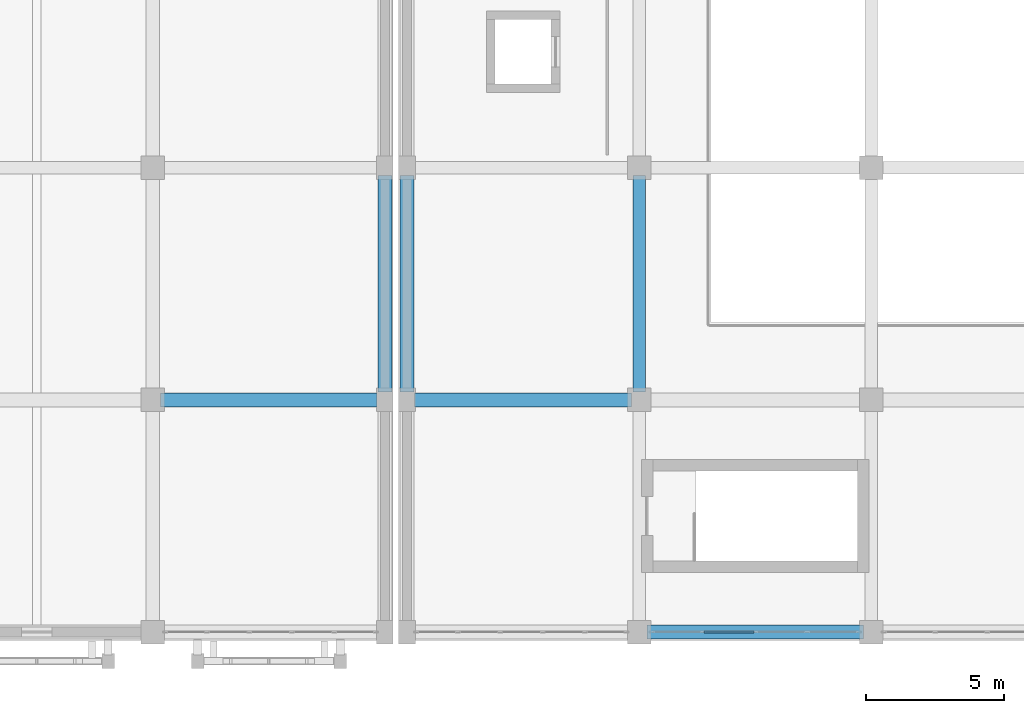
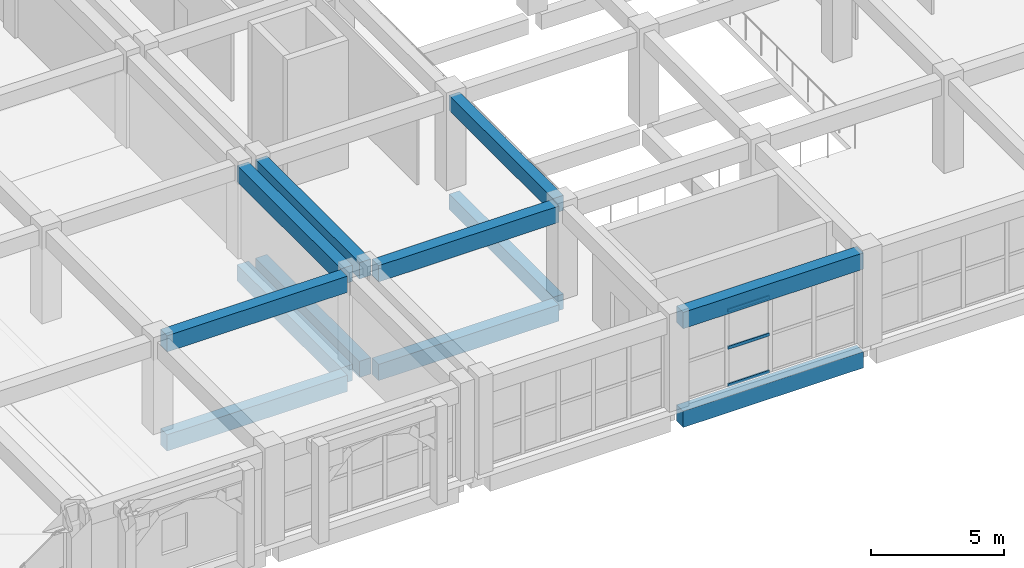
# One storey, part 27 of 129: 12 beams, 3 members, 1 element without a shape of its own.
"""IFC4 building model written with IfcOpenShell, lengths in metres."""

import ifcopenshell
import ifcopenshell.guid

model = None  # the IFC model being written
_history = None  # IfcOwnerHistory: only IFC2X3 demands one
_inside = {}  # id of a spatial element -> (the spatial element, [elements in it])
_under = {}  # id of a project, library or spatial element -> (it, [spatial elements below it])
_declared = {}  # id of a project -> (the project, [libraries it declares])
_typed = {}  # id of a type object -> (the type object, [elements of that type])
_made_of = {}  # id of a material, layer set ... -> (it, [elements and type objects made of it])


def new_model(schema):
    """Start an empty IFC model of exactly this schema.

    Asked for "IFC4X3", IfcOpenShell would pick the latest addendum, in which some entities
    have other attributes; the version numbers below select the first issue.
    IFC2X3 requires an IfcOwnerHistory on every rooted entity: one is made here for all.
    """
    global model, _history
    if schema == "IFC4X3":
        model = ifcopenshell.file(schema_version=(4, 3, 0, 0))
    else:
        model = ifcopenshell.file(schema=schema)
    _inside.clear()
    _under.clear()
    _declared.clear()
    _typed.clear()
    _made_of.clear()
    _history = None
    if model.schema == "IFC2X3":
        org = make("IfcOrganization", Name="unknown")
        user = make(
            "IfcPersonAndOrganization",
            ThePerson=make("IfcPerson", FamilyName="unknown"),
            TheOrganization=org,
        )
        app = make(
            "IfcApplication",
            ApplicationDeveloper=org,
            Version="unknown",
            ApplicationFullName="unknown",
            ApplicationIdentifier="unknown",
        )
        _history = make(
            "IfcOwnerHistory",
            OwningUser=user,
            OwningApplication=app,
            ChangeAction="ADDED",
            CreationDate=0,
        )
    return model


def make(cls, **values):
    """One entity of the class cls with the attributes given. An attribute that is None is left unset."""
    return model.create_entity(
        cls, **{name: value for name, value in values.items() if value is not None}
    )


def rooted(cls, **values):
    """An entity with a GlobalId (a new one), such as an element, a storey or a relation."""
    return make(cls, GlobalId=ifcopenshell.guid.new(), OwnerHistory=_history, **values)


def si_unit(unit_type, name, prefix=None):
    """IfcSIUnit, for example si_unit("LENGTHUNIT", "METRE", prefix="MILLI")."""
    return make("IfcSIUnit", UnitType=unit_type, Prefix=prefix, Name=name)


def assignment(units):
    """IfcUnitAssignment: the units of a project."""
    return None if units is None else make("IfcUnitAssignment", Units=units)


def point(xyz):
    """IfcCartesianPoint."""
    return None if xyz is None else make("IfcCartesianPoint", Coordinates=xyz)


def direction(xyz):
    """IfcDirection."""
    return None if xyz is None else make("IfcDirection", DirectionRatios=xyz)


def frame(location, z_axis=None, x_axis=None):
    """IfcAxis2Placement3D, a coordinate frame: its origin and axes. An axis left out is left unset."""
    return make(
        "IfcAxis2Placement3D",
        Location=point(location),
        Axis=direction(z_axis),
        RefDirection=direction(x_axis),
    )


def frame_2d(location, x_axis=None):
    """IfcAxis2Placement2D, a coordinate frame in the plane: its origin and x axis."""
    return make(
        "IfcAxis2Placement2D", Location=point(location), RefDirection=direction(x_axis)
    )


def origin():
    """The frame at (0, 0, 0) with its axes left unset."""
    return frame((0.0, 0.0, 0.0))


def origin_2d():
    """The frame at (0, 0) in the plane with its x axis left unset."""
    return frame_2d((0.0, 0.0))


def place(relative_to, where):
    """IfcLocalPlacement: puts the frame where relative to a parent placement (None: the world)."""
    return make(
        "IfcLocalPlacement", PlacementRelTo=relative_to, RelativePlacement=where
    )


def context(
    kind, dimensions, precision=None, world=None, true_north=None, identifier=None
):
    """IfcGeometricRepresentationContext, for example the 3D "Model" context."""
    return make(
        "IfcGeometricRepresentationContext",
        ContextIdentifier=identifier,
        ContextType=kind,
        CoordinateSpaceDimension=dimensions,
        Precision=precision,
        WorldCoordinateSystem=world,
        TrueNorth=true_north,
    )


def subcontext(parent, identifier, kind, view, scale=None):
    """IfcGeometricRepresentationSubContext, for example "Body" below "Model"."""
    return make(
        "IfcGeometricRepresentationSubContext",
        ContextIdentifier=identifier,
        ContextType=kind,
        ParentContext=parent,
        TargetScale=scale,
        TargetView=view,
    )


def project(units=None, contexts=None):
    """IfcProject with its units and contexts."""
    return rooted(
        "IfcProject",
        Name="project",
        RepresentationContexts=contexts,
        UnitsInContext=assignment(units),
    )


def spatial(cls, under=None, at=None, **own):
    """A site, building, storey or space (cls), placed at a placement, below another one or the project."""
    s = rooted(cls, ObjectPlacement=at, **own)
    if under is not None:
        _under.setdefault(under.id(), (under, []))[1].append(s)
    return s


def profile(cls, at=None, kind="AREA", **sizes):
    """A parametric profile (cls). Its sizes go by their IFC names, for example OverallWidth=200.0."""
    return make(cls, ProfileType=kind, Position=at, **sizes)


def rectangle(**sizes):
    """IfcRectangleProfileDef."""
    return profile("IfcRectangleProfileDef", **sizes)


def hollow_rectangle(**sizes):
    """IfcRectangleHollowProfileDef."""
    return profile("IfcRectangleHollowProfileDef", **sizes)


def extrude(swept, where, along, depth):
    """IfcExtrudedAreaSolid: the profile swept, set in the frame where, extruded along a direction by depth."""
    return make(
        "IfcExtrudedAreaSolid",
        SweptArea=swept,
        Position=where,
        ExtrudedDirection=direction(along),
        Depth=depth,
    )


def shape(context_of_items, identifier, shape_type, items):
    """IfcShapeRepresentation: the items that make up one representation, for example the "Body"."""
    return make(
        "IfcShapeRepresentation",
        ContextOfItems=context_of_items,
        RepresentationIdentifier=identifier,
        RepresentationType=shape_type,
        Items=items,
    )


def material(Name=None, Category=None):
    """IfcMaterial."""
    return make("IfcMaterial", Name=Name, Category=Category)


def layer(
    of_material, thickness, ventilated=None, Name=None, Category=None, Priority=None
):
    """IfcMaterialLayer: one layer of a wall or slab, of a material (None: an air gap)."""
    return make(
        "IfcMaterialLayer",
        Material=of_material,
        LayerThickness=thickness,
        IsVentilated=ventilated,
        Name=Name,
        Category=Category,
        Priority=Priority,
    )


def layer_set(layers, Name=None):
    """IfcMaterialLayerSet."""
    return make("IfcMaterialLayerSet", MaterialLayers=layers, LayerSetName=Name)


def material_profile(
    of_material, cross_section, Name=None, Category=None, Priority=None
):
    """IfcMaterialProfile: a cross section and its material."""
    return make(
        "IfcMaterialProfile",
        Name=Name,
        Material=of_material,
        Profile=cross_section,
        Priority=Priority,
        Category=Category,
    )


def profile_set(profiles, Name=None, composite=None):
    """IfcMaterialProfileSet."""
    return make(
        "IfcMaterialProfileSet",
        Name=Name,
        MaterialProfiles=profiles,
        CompositeProfile=composite,
    )


def made_of(thing, what):
    """Note that an element or type object is made of a material, layer set ...; save() writes the relation."""
    if what is not None:
        _made_of.setdefault(what.id(), (what, []))[1].append(thing)
    return thing


def type_object(cls, material=None, **own):
    """A type object (cls), such as IfcWallType, which elements share."""
    return made_of(rooted(cls, **own), material)


def element(
    cls,
    number,
    at=None,
    inside=None,
    cuts=None,
    type_object=None,
    material=None,
    context=None,
    identifier="Body",
    shape_type=None,
    held_by="IfcProductDefinitionShape",
    body=None,
    shapes=None,
    **own,
):
    """One element of the class cls, such as IfcWall. Its Tag is "e" and its number.

    at: its placement. inside: the storey or other place that contains it. cuts: it is an
    opening in that element (IfcRelVoidsElement). A single representation is given by context,
    identifier, shape_type and body (its items); several are given by shapes. held_by: the class
    of the entity that holds the representations. save() writes the other relations.
    """
    e = rooted(cls, Tag="e%d" % number, ObjectPlacement=at, **own)
    if body is not None:
        shapes = [shape(context, identifier, shape_type, body)]
    if shapes is not None:
        e.Representation = make(held_by, Representations=shapes)
    if inside is not None:
        _inside.setdefault(inside.id(), (inside, []))[1].append(e)
    if cuts is not None:
        rooted(
            "IfcRelVoidsElement", RelatingBuildingElement=cuts, RelatedOpeningElement=e
        )
    if type_object is not None:
        _typed.setdefault(type_object.id(), (type_object, []))[1].append(e)
    return made_of(e, material)


def aggregate(whole, parts):
    """IfcRelAggregates: a whole, such as a stair, and the parts it consists of."""
    return rooted("IfcRelAggregates", RelatingObject=whole, RelatedObjects=parts)


def save(model, path):
    """Write the relations noted so far, then the file.

    IfcRelAggregates (storeys below a building ...), IfcRelContainedInSpatialStructure (elements
    in a storey), IfcRelDefinesByType, IfcRelAssociatesMaterial and IfcRelDeclares: one each for
    every whole, place, type object, material and project.
    """
    for whole, parts in _under.values():
        aggregate(whole, parts)
    for where, things in _inside.values():
        rooted(
            "IfcRelContainedInSpatialStructure",
            RelatedElements=things,
            RelatingStructure=where,
        )
    for kind, things in _typed.values():
        rooted("IfcRelDefinesByType", RelatedObjects=things, RelatingType=kind)
    for what, things in _made_of.values():
        rooted("IfcRelAssociatesMaterial", RelatedObjects=things, RelatingMaterial=what)
    for by, libraries in _declared.values():
        rooted("IfcRelDeclares", RelatingContext=by, RelatedDefinitions=libraries)
    model.write(path)


model = new_model("IFC4")

# Units and contexts
model_context = context("Model", 3, precision=1e-05, world=origin(), true_north=direction((0.0, 1.0)))
body_context = subcontext(model_context, "Body", "Model", "MODEL_VIEW")
ifc_project = project(units=[si_unit("LENGTHUNIT", "METRE"), si_unit("AREAUNIT", "SQUARE_METRE"), si_unit("VOLUMEUNIT", "CUBIC_METRE"), si_unit("PLANEANGLEUNIT", "RADIAN"), si_unit("MASSUNIT", "GRAM", prefix="KILO")], contexts=[model_context])

# Site, building, storey
site_placement = place(None, origin())
site = spatial("IfcSite", under=ifc_project, at=site_placement, CompositionType="ELEMENT")
building_placement = place(site_placement, origin())
building = spatial("IfcBuilding", under=site, at=building_placement, Name="Xazarin Passage Department Store", CompositionType="ELEMENT")
storey_placement = place(building_placement, frame((0.0, 0.0, 9.89990234375)))
storey = spatial("IfcBuildingStorey", under=building, at=storey_placement, Name="L02", CompositionType="ELEMENT", Elevation=9.89990234375)

# Curtain wall, members
ifc_material_1 = material(Name="Bronze anodised aluminium", Category="aluminium")
ifc_layer = layer(ifc_material_1, 0.159912109375)
ifc_layer_set = layer_set([ifc_layer], Name="Bronze anodised aluminium")
curtain_wall_type = type_object("IfcCurtainWallType", Name="ARC-CW-ARC1", PredefinedType="NOTDEFINED", material=ifc_layer_set)
curtain_wall_placement = place(storey_placement, origin())
curtain_wall = element("IfcCurtainWall", 1, at=curtain_wall_placement, inside=storey, type_object=curtain_wall_type, Name="L02 V2S Curtain Wall 105", PredefinedType="NOTDEFINED")
ifc_material_profile_1 = material_profile(ifc_material_1, hollow_rectangle(XDim=0.06494140625, YDim=0.139892578125, WallThickness=0.00390625, at=origin_2d()), Name="ALU 65x140")
ifc_profile_set_1 = profile_set([ifc_material_profile_1], Name="Bronze anodised aluminium")
member_type = type_object("IfcMemberType", Name="ARC-CWT-65x140", PredefinedType="USERDEFINED", material=ifc_profile_set_1)
member_1_placement = place(storey_placement, frame((78.7451171875, 0.0, 0.03271484375), z_axis=(1.0, 0.0, 0.0), x_axis=(0.0, 1.0, 0.0)))
member_1 = element("IfcMember", 2, at=member_1_placement, type_object=member_type, Name="CW3 transom 2.1", ObjectType="TRANSOM", PredefinedType="USERDEFINED", context=body_context, shape_type="SweptSolid", body=[
    extrude(hollow_rectangle(XDim=0.06494140625, YDim=0.139892578125, WallThickness=0.00390625, at=origin_2d()), origin(), (0.0, 0.0, 1.0), 1.822265625),
])
member_2_placement = place(storey_placement, frame((78.7451171875, 0.0, 1.7451171875), z_axis=(1.0, 0.0, 0.0), x_axis=(0.0, 1.0, 0.0)))
member_2 = element("IfcMember", 3, at=member_2_placement, type_object=member_type, Name="CW3 transom 2.2", ObjectType="TRANSOM", PredefinedType="USERDEFINED", context=body_context, shape_type="SweptSolid", body=[
    extrude(hollow_rectangle(XDim=0.06494140625, YDim=0.139892578125, WallThickness=0.00390625, at=origin_2d()), origin(), (0.0, 0.0, 1.0), 1.822265625),
])
member_3_placement = place(storey_placement, frame((78.7451171875, 0.0, 3.45751953125), z_axis=(1.0, 0.0, 0.0), x_axis=(0.0, 1.0, 0.0)))
member_3 = element("IfcMember", 4, at=member_3_placement, type_object=member_type, Name="CW3 transom 2.3", ObjectType="TRANSOM", PredefinedType="USERDEFINED", context=body_context, shape_type="SweptSolid", body=[
    extrude(hollow_rectangle(XDim=0.06494140625, YDim=0.139892578125, WallThickness=0.00390625, at=origin_2d()), origin(), (0.0, 0.0, 1.0), 1.822265625),
])
aggregate(curtain_wall, [member_1, member_2, member_3])

# Beams
ifc_material_2 = material(Name="Concrete C35/45", Category="concrete")
ifc_material_profile_2 = material_profile(ifc_material_2, rectangle(XDim=0.449951171875, YDim=0.699951171875, at=origin_2d()), Name="RC 450x700")
ifc_profile_set_2 = profile_set([ifc_material_profile_2], Name="Concrete C35/45")
beam_type_1 = type_object("IfcBeamType", Name="STR-BM-G450x700", PredefinedType="BEAM", material=ifc_profile_set_2)
for number, where, z_axis, x_axis, name in (
    (5, (76.39990234375, 8.679931640625, -0.64990234375), (0.0, 1.0, 0.0), (-1.0, 0.0, 0.0), "L02 Grid Beam 11/B-C"),
    (6, (76.39990234375, 8.679931640625, 3.89013671875), (0.0, 1.0, 0.0), (-1.0, 0.0, 0.0), "L02 Grid Beam 11/B-C"),
):
    element("IfcBeam", number, at=place(storey_placement, frame(where, z_axis=z_axis, x_axis=x_axis)), inside=storey, type_object=beam_type_1, Name=name, PredefinedType="BEAM", context=body_context, shape_type="SweptSolid", body=[
        extrude(rectangle(XDim=0.449951171875, YDim=0.699951171875, at=origin_2d()), origin(), (0.0, 0.0, 1.0), 7.840087890625),
    ])
ifc_material_profile_3 = material_profile(ifc_material_2, rectangle(XDim=0.5, YDim=0.75, at=origin_2d()), Name="RC 500x750")
ifc_profile_set_3 = profile_set([ifc_material_profile_3], Name="Concrete C35/45")
beam_type_2 = type_object("IfcBeamType", Name="STR-BM-SP500x750", PredefinedType="SPANDREL", material=ifc_profile_set_3)
for number, where, z_axis, x_axis, name in (
    (7, (76.679931640625, 0.0, -0.6748046875), (1.0, 0.0, 0.0), (0.0, 1.0, 0.0), "L02 Grid Beam A/11-12"),
    (8, (68.280029296875, 8.39990234375, -0.6748046875), (1.0, 0.0, 0.0), (0.0, 1.0, 0.0), "L02 Grid Beam B/10-11"),
    (9, (68.0, 8.679931640625, -0.6748046875), (0.0, 1.0, 0.0), (-1.0, 0.0, 0.0), "L02 Grid Beam 10/B-C"),
    (10, (76.679931640625, 0.0, 3.864990234375), (1.0, 0.0, 0.0), (0.0, 1.0, 0.0), "L02 Grid Beam A/11-12"),
    (11, (68.280029296875, 8.39990234375, 3.864990234375), (1.0, 0.0, 0.0), (0.0, 1.0, 0.0), "L02 Grid Beam B/10-11"),
    (12, (68.0, 8.679931640625, 3.864990234375), (0.0, 1.0, 0.0), (-1.0, 0.0, 0.0), "L02 Grid Beam 10/B-C"),
):
    element("IfcBeam", number, at=place(storey_placement, frame(where, z_axis=z_axis, x_axis=x_axis)), inside=storey, type_object=beam_type_2, Name=name, PredefinedType="SPANDREL", context=body_context, shape_type="SweptSolid", body=[
        extrude(rectangle(XDim=0.5, YDim=0.75, at=origin_2d()), origin(), (0.0, 0.0, 1.0), 7.840087890625),
    ])
beam_1_placement = place(storey_placement, frame((59.080078125, 8.39990234375, -0.69482421875), z_axis=(1.0, 0.0, 0.0), x_axis=(0.0, 1.0, 0.0)))
element("IfcBeam", 13, at=beam_1_placement, inside=storey, type_object=beam_type_2, Name="L02 Grid Beam B/8-9", PredefinedType="SPANDREL", context=body_context, shape_type="SweptSolid", body=[
    extrude(rectangle(XDim=0.5, YDim=0.75, at=origin_2d()), origin(), (0.0, 0.0, 1.0), 7.83984375),
])
beam_2_placement = place(storey_placement, frame((67.199951171875, 8.679931640625, -0.69482421875), z_axis=(0.0, 1.0, 0.0), x_axis=(-1.0, 0.0, 0.0)))
element("IfcBeam", 14, at=beam_2_placement, inside=storey, type_object=beam_type_2, Name="L02 Grid Beam 9/B-C", PredefinedType="SPANDREL", context=body_context, shape_type="SweptSolid", body=[
    extrude(rectangle(XDim=0.5, YDim=0.75, at=origin_2d()), origin(), (0.0, 0.0, 1.0), 7.840087890625),
])
beam_3_placement = place(storey_placement, frame((59.080078125, 8.39990234375, 3.864990234375), z_axis=(1.0, 0.0, 0.0), x_axis=(0.0, 1.0, 0.0)))
element("IfcBeam", 15, at=beam_3_placement, inside=storey, type_object=beam_type_2, Name="L02 Grid Beam B/8-9", PredefinedType="SPANDREL", context=body_context, shape_type="SweptSolid", body=[
    extrude(rectangle(XDim=0.5, YDim=0.75, at=origin_2d()), origin(), (0.0, 0.0, 1.0), 7.83984375),
])
beam_4_placement = place(storey_placement, frame((67.199951171875, 8.679931640625, 3.864990234375), z_axis=(0.0, 1.0, 0.0), x_axis=(-1.0, 0.0, 0.0)))
element("IfcBeam", 16, at=beam_4_placement, inside=storey, type_object=beam_type_2, Name="L02 Grid Beam 9/B-C", PredefinedType="SPANDREL", context=body_context, shape_type="SweptSolid", body=[
    extrude(rectangle(XDim=0.5, YDim=0.75, at=origin_2d()), origin(), (0.0, 0.0, 1.0), 7.840087890625),
])

save(model, "model.ifc")
